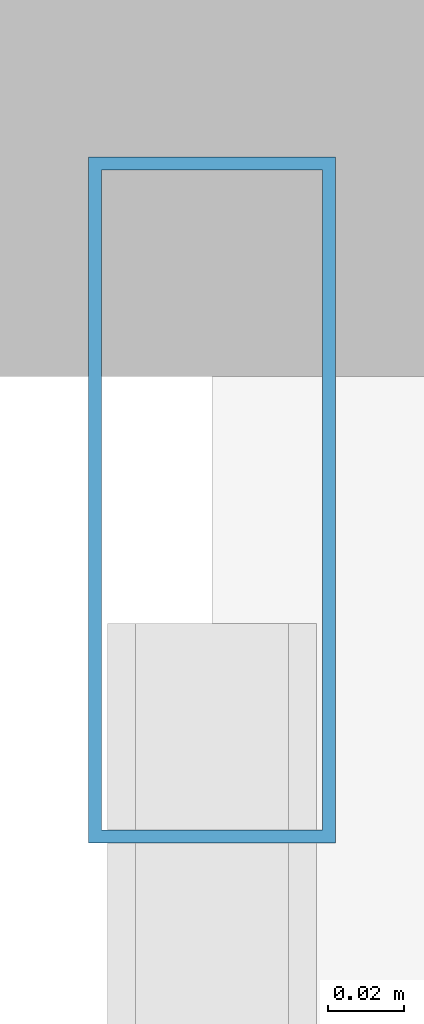
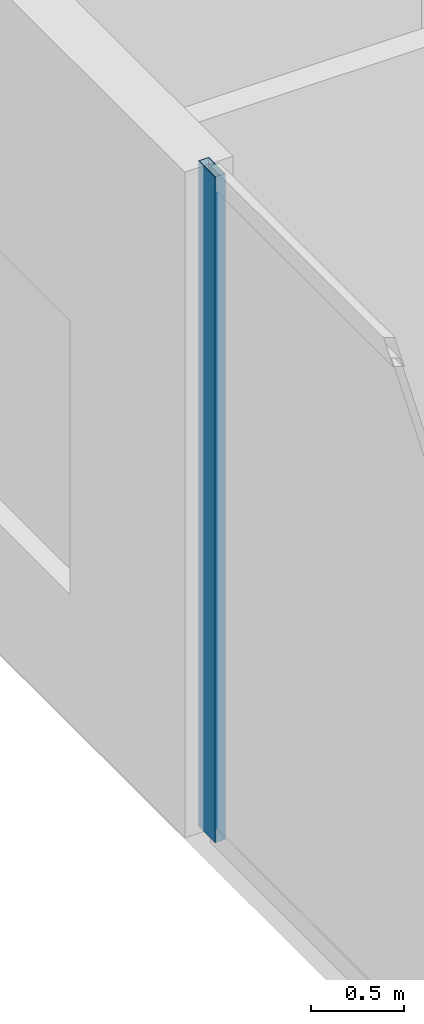
# One storey, part 15 of 31: 1 member, 1 element without a shape of its own.
"""IFC4 building model written with IfcOpenShell, lengths in metres."""

from ifc_helpers import new_model, si_unit, direction, frame, origin, origin_2d, place, context, subcontext, project, spatial, hollow_rectangle, extrude, material, layer, layer_set, material_profile, profile_set, type_object, element, aggregate, save


model = new_model("IFC4")

# Units and contexts
model_context = context("Model", 3, precision=1e-05, world=origin(), true_north=direction((0.0, 1.0)))
body_context = subcontext(model_context, "Body", "Model", "MODEL_VIEW")
ifc_project = project(units=[si_unit("LENGTHUNIT", "METRE"), si_unit("AREAUNIT", "SQUARE_METRE"), si_unit("VOLUMEUNIT", "CUBIC_METRE"), si_unit("PLANEANGLEUNIT", "RADIAN"), si_unit("MASSUNIT", "GRAM", prefix="KILO")], contexts=[model_context])

# Site, building, storey
site_placement = place(None, origin())
site = spatial("IfcSite", under=ifc_project, at=site_placement, CompositionType="ELEMENT")
building_placement = place(site_placement, origin())
building = spatial("IfcBuilding", under=site, at=building_placement, Name="Zuhayl Quay Hotel", CompositionType="ELEMENT")
storey_placement = place(building_placement, frame((0.0, 0.0, 172.800048828125)))
storey = spatial("IfcBuildingStorey", under=building, at=storey_placement, Name="L43", CompositionType="ELEMENT", Elevation=172.800048828125)

# Curtain wall, member
ifc_material_1 = material(Name="Anodised Aluminium 6063-T6", Category="aluminium")
ifc_layer = layer(ifc_material_1, 0.175048828125, Name="Anodised Aluminium 6063-T6", Category="aluminium")
ifc_layer_set = layer_set([ifc_layer], Name="Anodised Aluminium 6063-T6")
curtain_wall_type = type_object("IfcCurtainWallType", Name="CW_SYS_Z3", PredefinedType="USERDEFINED", material=ifc_layer_set)
curtain_wall_placement = place(storey_placement, origin())
curtain_wall = element("IfcCurtainWall", 1, at=curtain_wall_placement, inside=storey, type_object=curtain_wall_type, Name="L43 Curtain Wall ENV_L43_E05_CW1", ObjectType="UNITISED CURTAIN WALL", PredefinedType="USERDEFINED")
ifc_material_2 = material(Name="Black-anodised aluminium 6063-T6", Category="aluminium")
ifc_material_profile = material_profile(ifc_material_2, hollow_rectangle(XDim=0.06494140625, YDim=0.179931640625, WallThickness=0.00341796875, at=origin_2d()), Name="ALU180X65")
ifc_profile_set = profile_set([ifc_material_profile], Name="Black-anodised aluminium 6063-T6")
member_type = type_object("IfcMemberType", Name="MB_CW_MUL_180", PredefinedType="MULLION", material=ifc_profile_set)
member_placement = place(storey_placement, frame((-22.10009765625, 26.41748046875, 0.0), z_axis=(0.0, 0.0, 1.0), x_axis=(-1.0, 0.0, 0.0)))
member = element("IfcMember", 2, at=member_placement, type_object=member_type, Name="CW-Z3 mullion 2", PredefinedType="MULLION", context=body_context, shape_type="SweptSolid", body=[
    extrude(hollow_rectangle(XDim=0.06494140625, YDim=0.179931640625, WallThickness=0.00341796875, at=origin_2d()), origin(), (0.0, 0.0, 1.0), 4.3798828125),
])
aggregate(curtain_wall, [member])

save(model, "model.ifc")
